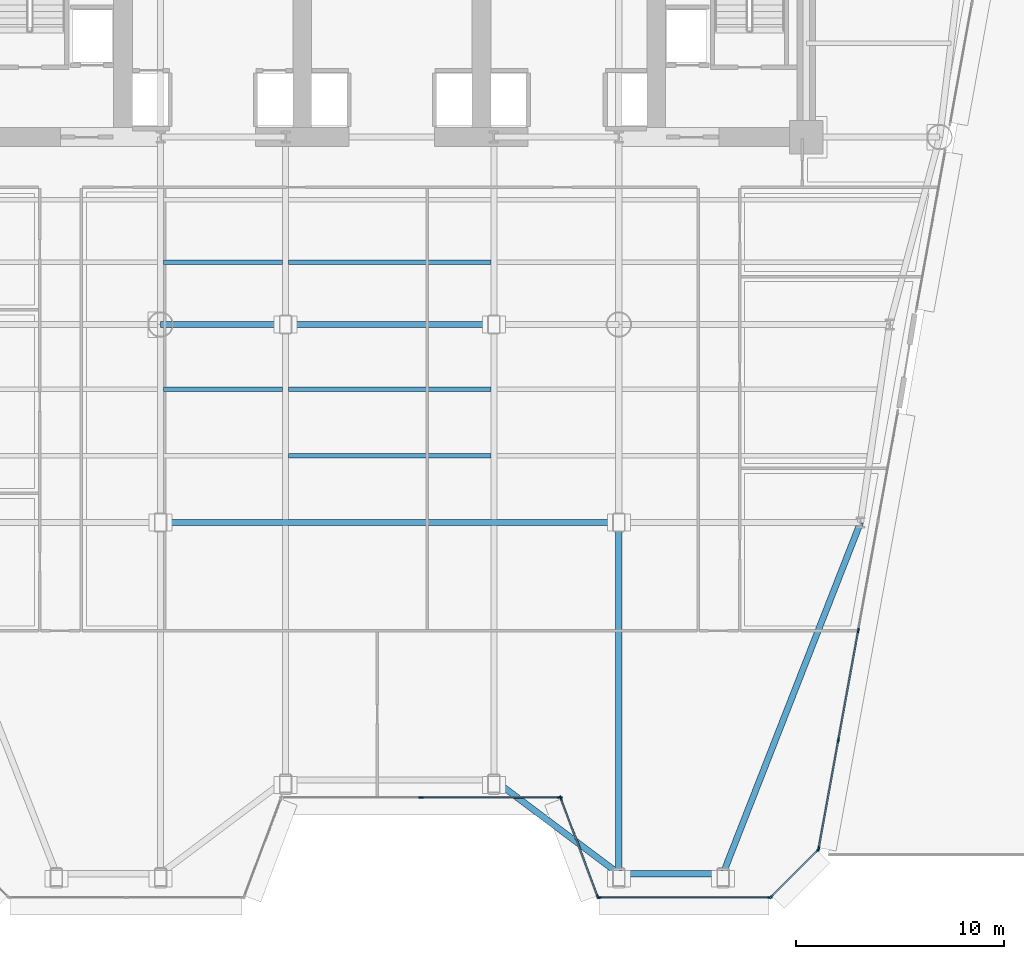
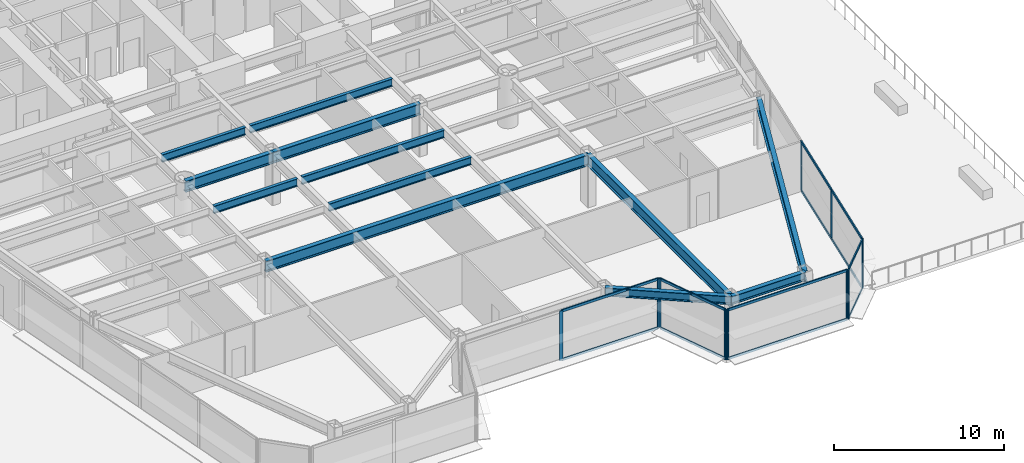
# One storey, part 3 of 14: 23 members, 12 beams, 5 elements without a shape of their own.
"""IFC4 building model written with IfcOpenShell, lengths in metres."""

from ifc_helpers import new_model, si_unit, direction, frame, origin, origin_2d, place, context, subcontext, project, spatial, rectangle, i_section, extrude, source, transform, mapped, material, layer, layer_set, material_profile, profile_set, type_object, element, aggregate, save


model = new_model("IFC4")

# Units and contexts
model_context = context("Model", 3, precision=1e-05, world=origin(), true_north=direction((0.0, 1.0)))
body_context = subcontext(model_context, "Body", "Model", "MODEL_VIEW")
ifc_project = project(units=[si_unit("LENGTHUNIT", "METRE"), si_unit("AREAUNIT", "SQUARE_METRE"), si_unit("VOLUMEUNIT", "CUBIC_METRE"), si_unit("PLANEANGLEUNIT", "RADIAN"), si_unit("MASSUNIT", "GRAM", prefix="KILO")], contexts=[model_context])

# Site, building, storey
site_placement = place(None, origin())
site = spatial("IfcSite", under=ifc_project, at=site_placement, CompositionType="ELEMENT")
building_placement = place(site_placement, origin())
building = spatial("IfcBuilding", under=site, at=building_placement, Name="Vaeldorn Concourse Tower", CompositionType="ELEMENT")
storey_placement = place(building_placement, frame((0.0, 0.0, 18.800048828125)))
storey = spatial("IfcBuildingStorey", under=building, at=storey_placement, Name="L04", CompositionType="ELEMENT", Elevation=18.800048828125)

# Beams
ifc_material_1 = material(Name="Steel S355", Category="steel")
ifc_material_profile_1 = material_profile(ifc_material_1, i_section(OverallWidth=0.300048828125, OverallDepth=0.800048828125, WebThickness=0.017578125, FlangeThickness=0.032958984375, FilletRadius=0.030029296875, at=origin_2d()), Name="HEB 800")
ifc_profile_set_1 = profile_set([ifc_material_profile_1], Name="Steel S355")
beam_type_1 = type_object("IfcBeamType", Name="BM-PG-HEB800", PredefinedType="BEAM", material=ifc_profile_set_1)
shared_shape_1 = source(origin(), body_context, "Body", "SweptSolid", [
    extrude(i_section(OverallWidth=0.300048828125, OverallDepth=0.800048828125, WebThickness=0.017578125, FlangeThickness=0.032958984375, FilletRadius=0.030029296875, at=origin_2d()), origin(), (0.0, 0.0, 1.0), 6.0),
])
beam_1_placement = place(storey_placement, frame((23.0, 27.5, 3.179931640625), z_axis=(1.0, 0.0, 0.0), x_axis=(0.0, 1.0, 0.0)))
element("IfcBeam", 1, at=beam_1_placement, inside=storey, type_object=beam_type_1, Name="Beam BM-L04-C-TW1-C-TW2", PredefinedType="BEAM", context=body_context, shape_type="MappedRepresentation", body=[
    mapped(shared_shape_1, transform((0.0, 0.0, 0.0), scale=1.0)),
])
shared_shape_2 = source(origin(), body_context, "Body", "SweptSolid", [
    extrude(i_section(OverallWidth=0.300048828125, OverallDepth=0.800048828125, WebThickness=0.017578125, FlangeThickness=0.032958984375, FilletRadius=0.030029296875, at=origin_2d()), origin(), (0.0, 0.0, 1.0), 10.0),
])
beam_2_placement = place(storey_placement, frame((29.0, 27.5, 3.179931640625), z_axis=(1.0, 0.0, 0.0), x_axis=(0.0, 1.0, 0.0)))
element("IfcBeam", 2, at=beam_2_placement, inside=storey, type_object=beam_type_1, Name="Beam BM-L04-C-TW2-C-TW3", PredefinedType="BEAM", context=body_context, shape_type="MappedRepresentation", body=[
    mapped(shared_shape_2, transform((0.0, 0.0, 0.0), scale=1.0)),
])
ifc_material_profile_2 = material_profile(ifc_material_1, i_section(OverallWidth=0.300048828125, OverallDepth=0.60009765625, WebThickness=0.015380859375, FlangeThickness=0.030029296875, FilletRadius=0.027099609375, at=origin_2d()), Name="HEB 600")
ifc_profile_set_2 = profile_set([ifc_material_profile_2], Name="Steel S355")
beam_type_2 = type_object("IfcBeamType", Name="BM-SP-HEB600", PredefinedType="SPANDREL", material=ifc_profile_set_2)
shared_shape_3 = source(origin(), body_context, "Body", "SweptSolid", [
    extrude(i_section(OverallWidth=0.300048828125, OverallDepth=0.60009765625, WebThickness=0.015380859375, FlangeThickness=0.030029296875, FilletRadius=0.027099609375, at=origin_2d()), origin(), (0.0, 0.0, 1.0), 5.0),
])
beam_3_placement = place(storey_placement, frame((45.0, 1.13916015625, 3.280029296875), z_axis=(1.0, 0.0, 0.0), x_axis=(0.0, 1.0, 0.0)))
element("IfcBeam", 3, at=beam_3_placement, inside=storey, type_object=beam_type_2, Name="Beam BM-L04-C-SF5-C-SF6", PredefinedType="SPANDREL", context=body_context, shape_type="MappedRepresentation", body=[
    mapped(shared_shape_3, transform((0.0, 0.0, 0.0), scale=1.0)),
])
shared_shape_4 = source(origin(), body_context, "Body", "SweptSolid", [
    extrude(i_section(OverallWidth=0.300048828125, OverallDepth=0.60009765625, WebThickness=0.015380859375, FlangeThickness=0.030029296875, FilletRadius=0.027099609375, at=origin_2d()), origin(), (0.0, 0.0, 1.0), 7.5),
])
beam_4_placement = place(storey_placement, frame((39.0, 5.63916015625, 3.280029296875), z_axis=(0.8, -0.6, 0.0), x_axis=(0.6, 0.8, 0.0)))
element("IfcBeam", 4, at=beam_4_placement, inside=storey, type_object=beam_type_2, Name="Beam BM-L04-C-SF4-C-SF5", PredefinedType="SPANDREL", context=body_context, shape_type="MappedRepresentation", body=[
    mapped(shared_shape_4, transform((0.0, 0.0, 0.0), scale=1.0)),
])
shared_shape_5 = source(origin(), body_context, "Body", "SweptSolid", [
    extrude(i_section(OverallWidth=0.300048828125, OverallDepth=0.800048828125, WebThickness=0.017578125, FlangeThickness=0.032958984375, FilletRadius=0.030029296875, at=origin_2d()), origin(), (0.0, 0.0, 1.0), 22.0),
])
beam_5_placement = place(storey_placement, frame((23.0, 18.0, 3.179931640625), z_axis=(1.0, 0.0, 0.0), x_axis=(0.0, 1.0, 0.0)))
element("IfcBeam", 5, at=beam_5_placement, inside=storey, type_object=beam_type_1, Name="Beam BM-L04-C-TW5-C-TW6", PredefinedType="BEAM", context=body_context, shape_type="MappedRepresentation", body=[
    mapped(shared_shape_5, transform((0.0, 0.0, 0.0), scale=1.0)),
])
shared_shape_6 = source(origin(), body_context, "Body", "SweptSolid", [
    extrude(i_section(OverallWidth=0.300048828125, OverallDepth=0.800048828125, WebThickness=0.017578125, FlangeThickness=0.032958984375, FilletRadius=0.030029296875, at=origin_2d()), origin(), (0.0, 0.0, 1.0), 18.106689453125),
])
beam_6_placement = place(storey_placement, frame((50.0, 1.13916015625, 3.179931640625), z_axis=(0.36451322626, 0.931198210845, 0.0), x_axis=(-0.931198210845, 0.36451322626, 0.0)))
element("IfcBeam", 6, at=beam_6_placement, inside=storey, type_object=beam_type_1, Name="Beam BM-L04-C-SF6-C-FLE2", PredefinedType="BEAM", context=body_context, shape_type="MappedRepresentation", body=[
    mapped(shared_shape_6, transform((0.0, 0.0, 0.0), scale=1.0)),
])
shared_shape_7 = source(origin(), body_context, "Body", "SweptSolid", [
    extrude(i_section(OverallWidth=0.300048828125, OverallDepth=0.800048828125, WebThickness=0.017578125, FlangeThickness=0.032958984375, FilletRadius=0.030029296875, at=origin_2d()), origin(), (0.0, 0.0, 1.0), 16.86083984375),
])
beam_7_placement = place(storey_placement, frame((45.0, 1.13916015625, 3.179931640625), z_axis=(0.0, 1.0, 0.0), x_axis=(-1.0, 0.0, 0.0)))
element("IfcBeam", 7, at=beam_7_placement, inside=storey, type_object=beam_type_1, Name="Beam BM-L04-C-SF5-C-TW6", PredefinedType="BEAM", context=body_context, shape_type="MappedRepresentation", body=[
    mapped(shared_shape_7, transform((0.0, 0.0, 0.0), scale=1.0)),
])
ifc_material_profile_3 = material_profile(ifc_material_1, i_section(OverallWidth=0.2099609375, OverallDepth=0.550048828125, WebThickness=0.010986328125, FlangeThickness=0.01708984375, FilletRadius=0.02392578125, at=origin_2d()), Name="IPE 550")
ifc_profile_set_3 = profile_set([ifc_material_profile_3], Name="Steel S355")
beam_type_3 = type_object("IfcBeamType", Name="BM-JS-IPE550", PredefinedType="JOIST", material=ifc_profile_set_3)
shared_shape_8 = source(origin(), body_context, "Body", "SweptSolid", [
    extrude(i_section(OverallWidth=0.2099609375, OverallDepth=0.550048828125, WebThickness=0.010986328125, FlangeThickness=0.01708984375, FilletRadius=0.02392578125, at=origin_2d()), origin(), (0.0, 0.0, 1.0), 5.7001953125),
])
for number, where, z_axis, x_axis, name in (
    (8, (23.14990234375, 24.39990234375, 3.304931640625), (1.0, 0.0, 0.0), (0.0, 1.0, 0.0), "Beam JS-L04-W2-244"),
    (9, (23.14990234375, 30.5, 3.304931640625), (1.0, 0.0, 0.0), (0.0, 1.0, 0.0), "Beam JS-L04-W2-305"),
):
    element("IfcBeam", number, at=place(storey_placement, frame(where, z_axis=z_axis, x_axis=x_axis)), inside=storey, type_object=beam_type_3, Name=name, PredefinedType="JOIST", context=body_context, shape_type="MappedRepresentation", body=[
        mapped(shared_shape_8, transform((0.0, 0.0, 0.0), scale=1.0)),
    ])
shared_shape_9 = source(origin(), body_context, "Body", "SweptSolid", [
    extrude(i_section(OverallWidth=0.2099609375, OverallDepth=0.550048828125, WebThickness=0.010986328125, FlangeThickness=0.01708984375, FilletRadius=0.02392578125, at=origin_2d()), origin(), (0.0, 0.0, 1.0), 9.7001953125),
])
for number, where, z_axis, x_axis, name in (
    (10, (29.14990234375, 21.199951171875, 3.304931640625), (1.0, 0.0, 0.0), (0.0, 1.0, 0.0), "Beam JS-L04-C-212"),
    (11, (29.14990234375, 24.39990234375, 3.304931640625), (1.0, 0.0, 0.0), (0.0, 1.0, 0.0), "Beam JS-L04-C-244"),
    (12, (29.14990234375, 30.5, 3.304931640625), (1.0, 0.0, 0.0), (0.0, 1.0, 0.0), "Beam JS-L04-C-305"),
):
    element("IfcBeam", number, at=place(storey_placement, frame(where, z_axis=z_axis, x_axis=x_axis)), inside=storey, type_object=beam_type_3, Name=name, PredefinedType="JOIST", context=body_context, shape_type="MappedRepresentation", body=[
        mapped(shared_shape_9, transform((0.0, 0.0, 0.0), scale=1.0)),
    ])

# Curtain wall, members
ifc_material_2 = material(Name="Anodised Bronze Aluminium", Category="aluminium")
ifc_layer = layer(ifc_material_2, 0.2099609375)
ifc_layer_set = layer_set([ifc_layer], Name="Anodised Bronze Aluminium")
curtain_wall_type = type_object("IfcCurtainWallType", Name="CW-SYS-06", PredefinedType="NOTDEFINED", material=ifc_layer_set)
curtain_wall_1_placement = place(storey_placement, origin())
curtain_wall_1 = element("IfcCurtainWall", 13, at=curtain_wall_1_placement, inside=storey, type_object=curtain_wall_type, Name="Unitised Curtain Wall CW-L04-E03-1", PredefinedType="NOTDEFINED")
ifc_material_profile_4 = material_profile(ifc_material_2, rectangle(XDim=0.074951171875, YDim=0.219970703125, at=origin_2d()), Name="CWM 75x220")
ifc_profile_set_4 = profile_set([ifc_material_profile_4], Name="Anodised Bronze Aluminium")
member_type_1 = type_object("IfcMemberType", Name="CWM-BRONZE-220", PredefinedType="MULLION", material=ifc_profile_set_4)
shared_shape_10 = source(origin(), body_context, "Body", "SweptSolid", [
    extrude(rectangle(XDim=0.074951171875, YDim=0.219970703125, at=origin_2d()), origin(), (0.0, 0.0, 1.0), 3.579833984375),
])
member_1_placement = place(storey_placement, frame((35.5, 4.800048828125, 0.0), z_axis=(0.0, 0.0, 1.0), x_axis=(0.0, 1.0, 0.0)))
member_1 = element("IfcMember", 14, at=member_1_placement, type_object=member_type_1, Name="CW-06 mullion 2", PredefinedType="MULLION", context=body_context, shape_type="MappedRepresentation", body=[
    mapped(shared_shape_10, transform((0.0, 0.0, 0.0), scale=1.0)),
])
member_2_placement = place(storey_placement, frame((42.16259765625, 4.800048828125, 0.0), z_axis=(0.0, 0.0, 1.0), x_axis=(0.0, 1.0, 0.0)))
member_2 = element("IfcMember", 15, at=member_2_placement, type_object=member_type_1, Name="CW-06 mullion 3", PredefinedType="MULLION", context=body_context, shape_type="MappedRepresentation", body=[
    mapped(shared_shape_10, transform((0.0, 0.0, 0.0), scale=1.0)),
])

curtain_wall_2_placement = place(storey_placement, origin())
curtain_wall_2 = element("IfcCurtainWall", 16, at=curtain_wall_2_placement, inside=storey, type_object=curtain_wall_type, Name="Unitised Curtain Wall CW-L04-E04-1", PredefinedType="NOTDEFINED")
member_3_placement = place(storey_placement, frame((42.213134765625, 4.764892578125, 0.0), z_axis=(0.0, 0.0, 1.0), x_axis=(0.936329177566, 0.351123441595, 0.0)))
member_3 = element("IfcMember", 17, at=member_3_placement, type_object=member_type_1, Name="CW-06 mullion 1", PredefinedType="MULLION", context=body_context, shape_type="MappedRepresentation", body=[
    mapped(shared_shape_10, transform((0.0, 0.0, 0.0), scale=1.0)),
])
member_4_placement = place(storey_placement, frame((43.98681640625, 0.03515625, 0.0), z_axis=(0.0, 0.0, 1.0), x_axis=(0.936329177566, 0.351123441595, 0.0)))
member_4 = element("IfcMember", 18, at=member_4_placement, type_object=member_type_1, Name="CW-06 mullion 2", PredefinedType="MULLION", context=body_context, shape_type="MappedRepresentation", body=[
    mapped(shared_shape_10, transform((0.0, 0.0, 0.0), scale=1.0)),
])

curtain_wall_3_placement = place(storey_placement, origin())
curtain_wall_3 = element("IfcCurtainWall", 19, at=curtain_wall_3_placement, inside=storey, type_object=curtain_wall_type, Name="Unitised Curtain Wall CW-L04-E05-1", PredefinedType="NOTDEFINED")
member_5_placement = place(storey_placement, frame((44.03759765625, 0.0, 0.0), z_axis=(0.0, 0.0, 1.0), x_axis=(0.0, 1.0, 0.0)))
member_5 = element("IfcMember", 20, at=member_5_placement, type_object=member_type_1, Name="CW-06 mullion 1", PredefinedType="MULLION", context=body_context, shape_type="MappedRepresentation", body=[
    mapped(shared_shape_10, transform((0.0, 0.0, 0.0), scale=1.0)),
])
member_6_placement = place(storey_placement, frame((52.24755859375, 0.0, 0.0), z_axis=(0.0, 0.0, 1.0), x_axis=(0.0, 1.0, 0.0)))
member_6 = element("IfcMember", 21, at=member_6_placement, type_object=member_type_1, Name="CW-06 mullion 2", PredefinedType="MULLION", context=body_context, shape_type="MappedRepresentation", body=[
    mapped(shared_shape_10, transform((0.0, 0.0, 0.0), scale=1.0)),
])

curtain_wall_4_placement = place(storey_placement, origin())
curtain_wall_4 = element("IfcCurtainWall", 22, at=curtain_wall_4_placement, inside=storey, type_object=curtain_wall_type, Name="Unitised Curtain Wall CW-L04-E06-1", PredefinedType="NOTDEFINED")
member_7_placement = place(storey_placement, frame((52.3115234375, 0.026611328125, 0.0), z_axis=(0.0, 0.0, 1.0), x_axis=(-0.707106781187, 0.707106781187, 0.0)))
member_7 = element("IfcMember", 23, at=member_7_placement, type_object=member_type_1, Name="CW-06 mullion 1", PredefinedType="MULLION", context=body_context, shape_type="MappedRepresentation", body=[
    mapped(shared_shape_10, transform((0.0, 0.0, 0.0), scale=1.0)),
])
member_8_placement = place(storey_placement, frame((54.55859375, 2.2734375, 0.0), z_axis=(0.0, 0.0, 1.0), x_axis=(-0.707106781187, 0.707106781187, 0.0)))
member_8 = element("IfcMember", 24, at=member_8_placement, type_object=member_type_1, Name="CW-06 mullion 2", PredefinedType="MULLION", context=body_context, shape_type="MappedRepresentation", body=[
    mapped(shared_shape_10, transform((0.0, 0.0, 0.0), scale=1.0)),
])

curtain_wall_5_placement = place(storey_placement, origin())
curtain_wall_5 = element("IfcCurtainWall", 25, at=curtain_wall_5_placement, inside=storey, type_object=curtain_wall_type, Name="Unitised Curtain Wall CW-L04-E07-1", PredefinedType="NOTDEFINED")
member_9_placement = place(storey_placement, frame((54.591796875, 2.3369140625, 0.0), z_axis=(0.0, 0.0, 1.0), x_axis=(-0.983949757326, 0.1784457202, 0.0)))
member_9 = element("IfcMember", 26, at=member_9_placement, type_object=member_type_1, Name="CW-06 mullion 1", PredefinedType="MULLION", context=body_context, shape_type="MappedRepresentation", body=[
    mapped(shared_shape_10, transform((0.0, 0.0, 0.0), scale=1.0)),
])
member_10_placement = place(storey_placement, frame((55.53857421875, 7.557861328125, 0.0), z_axis=(0.0, 0.0, 1.0), x_axis=(-0.983949757326, 0.1784457202, 0.0)))
member_10 = element("IfcMember", 27, at=member_10_placement, type_object=member_type_1, Name="CW-06 mullion 2", PredefinedType="MULLION", context=body_context, shape_type="MappedRepresentation", body=[
    mapped(shared_shape_10, transform((0.0, 0.0, 0.0), scale=1.0)),
])
member_11_placement = place(storey_placement, frame((56.4921875, 12.815673828125, 0.0), z_axis=(0.0, 0.0, 1.0), x_axis=(-0.983949757326, 0.1784457202, 0.0)))
member_11 = element("IfcMember", 28, at=member_11_placement, type_object=member_type_1, Name="CW-06 mullion 3", PredefinedType="MULLION", context=body_context, shape_type="MappedRepresentation", body=[
    mapped(shared_shape_10, transform((0.0, 0.0, 0.0), scale=1.0)),
])

# Member
ifc_material_profile_5 = material_profile(ifc_material_2, rectangle(XDim=0.074951171875, YDim=0.179931640625, at=origin_2d()), Name="CWT 75x180")
ifc_profile_set_5 = profile_set([ifc_material_profile_5], Name="Anodised Bronze Aluminium")
member_type_2 = type_object("IfcMemberType", Name="CWT-BRONZE-180", PredefinedType="USERDEFINED", material=ifc_profile_set_5)
shared_shape_11 = source(origin(), body_context, "Body", "SweptSolid", [
    extrude(rectangle(XDim=0.074951171875, YDim=0.179931640625, at=origin_2d()), origin(), (0.0, 0.0, 1.0), 4.976318359375),
])
member_12_placement = place(storey_placement, frame((42.226318359375, 4.729736328125, 0.037353515625), z_axis=(0.351128818119, -0.936327161352, 0.0), x_axis=(0.936327161352, 0.351128818119, 0.0)))
member_12 = element("IfcMember", 29, at=member_12_placement, type_object=member_type_2, Name="CW-06 transom 1.1", ObjectType="TRANSOM", PredefinedType="USERDEFINED", context=body_context, shape_type="MappedRepresentation", body=[
    mapped(shared_shape_11, transform((0.0, 0.0, 0.0), scale=1.0)),
])

member_13_placement = place(storey_placement, frame((42.226318359375, 4.729736328125, 3.54248046875), z_axis=(0.351128818119, -0.936327161352, 0.0), x_axis=(0.936327161352, 0.351128818119, 0.0)))
member_13 = element("IfcMember", 30, at=member_13_placement, type_object=member_type_2, Name="CW-06 transom 1.2", ObjectType="TRANSOM", PredefinedType="USERDEFINED", context=body_context, shape_type="MappedRepresentation", body=[
    mapped(shared_shape_11, transform((0.0, 0.0, 0.0), scale=1.0)),
])

aggregate(curtain_wall_2, [member_3, member_4, member_12, member_13])

shared_shape_12 = source(origin(), body_context, "Body", "SweptSolid", [
    extrude(rectangle(XDim=0.074951171875, YDim=0.179931640625, at=origin_2d()), origin(), (0.0, 0.0, 1.0), 6.58740234375),
])
member_14_placement = place(storey_placement, frame((35.53759765625, 4.800048828125, 0.037353515625), z_axis=(1.0, 0.0, 0.0), x_axis=(0.0, 1.0, 0.0)))
member_14 = element("IfcMember", 31, at=member_14_placement, type_object=member_type_2, Name="CW-06 transom 2.1", ObjectType="TRANSOM", PredefinedType="USERDEFINED", context=body_context, shape_type="MappedRepresentation", body=[
    mapped(shared_shape_12, transform((0.0, 0.0, 0.0), scale=1.0)),
])

member_15_placement = place(storey_placement, frame((35.53759765625, 4.800048828125, 3.54248046875), z_axis=(1.0, 0.0, 0.0), x_axis=(0.0, 1.0, 0.0)))
member_15 = element("IfcMember", 32, at=member_15_placement, type_object=member_type_2, Name="CW-06 transom 2.2", ObjectType="TRANSOM", PredefinedType="USERDEFINED", context=body_context, shape_type="MappedRepresentation", body=[
    mapped(shared_shape_12, transform((0.0, 0.0, 0.0), scale=1.0)),
])

aggregate(curtain_wall_1, [member_1, member_2, member_14, member_15])

shared_shape_13 = source(origin(), body_context, "Body", "SweptSolid", [
    extrude(rectangle(XDim=0.074951171875, YDim=0.179931640625, at=origin_2d()), origin(), (0.0, 0.0, 1.0), 8.135009765625),
])
member_16_placement = place(storey_placement, frame((44.074951171875, 0.0, 0.037353515625), z_axis=(1.0, 0.0, 0.0), x_axis=(0.0, 1.0, 0.0)))
member_16 = element("IfcMember", 33, at=member_16_placement, type_object=member_type_2, Name="CW-06 transom 1.1", ObjectType="TRANSOM", PredefinedType="USERDEFINED", context=body_context, shape_type="MappedRepresentation", body=[
    mapped(shared_shape_13, transform((0.0, 0.0, 0.0), scale=1.0)),
])

member_17_placement = place(storey_placement, frame((44.074951171875, 0.0, 3.54248046875), z_axis=(1.0, 0.0, 0.0), x_axis=(0.0, 1.0, 0.0)))
member_17 = element("IfcMember", 34, at=member_17_placement, type_object=member_type_2, Name="CW-06 transom 1.2", ObjectType="TRANSOM", PredefinedType="USERDEFINED", context=body_context, shape_type="MappedRepresentation", body=[
    mapped(shared_shape_13, transform((0.0, 0.0, 0.0), scale=1.0)),
])

aggregate(curtain_wall_3, [member_5, member_6, member_16, member_17])

shared_shape_14 = source(origin(), body_context, "Body", "SweptSolid", [
    extrude(rectangle(XDim=0.074951171875, YDim=0.179931640625, at=origin_2d()), origin(), (0.0, 0.0, 1.0), 3.102783203125),
])
member_18_placement = place(storey_placement, frame((52.338134765625, 0.052978515625, 0.037353515625), z_axis=(0.707067437368, 0.707146122816, 0.0), x_axis=(-0.707146122816, 0.707067437368, 0.0)))
member_18 = element("IfcMember", 35, at=member_18_placement, type_object=member_type_2, Name="CW-06 transom 1.1", ObjectType="TRANSOM", PredefinedType="USERDEFINED", context=body_context, shape_type="MappedRepresentation", body=[
    mapped(shared_shape_14, transform((0.0, 0.0, 0.0), scale=1.0)),
])

member_19_placement = place(storey_placement, frame((52.338134765625, 0.052978515625, 3.54248046875), z_axis=(0.707067437368, 0.707146122816, 0.0), x_axis=(-0.707146122816, 0.707067437368, 0.0)))
member_19 = element("IfcMember", 36, at=member_19_placement, type_object=member_type_2, Name="CW-06 transom 1.2", ObjectType="TRANSOM", PredefinedType="USERDEFINED", context=body_context, shape_type="MappedRepresentation", body=[
    mapped(shared_shape_14, transform((0.0, 0.0, 0.0), scale=1.0)),
])

aggregate(curtain_wall_4, [member_7, member_8, member_18, member_19])

shared_shape_15 = source(origin(), body_context, "Body", "SweptSolid", [
    extrude(rectangle(XDim=0.074951171875, YDim=0.179931640625, at=origin_2d()), origin(), (0.0, 0.0, 1.0), 5.231201171875),
])
member_20_placement = place(storey_placement, frame((54.598388671875, 2.373779296875, 0.037353515625), z_axis=(0.178421326833, 0.98395418091, 0.0), x_axis=(-0.98395418091, 0.178421326833, 0.0)))
member_20 = element("IfcMember", 37, at=member_20_placement, type_object=member_type_2, Name="CW-06 transom 1.1", ObjectType="TRANSOM", PredefinedType="USERDEFINED", context=body_context, shape_type="MappedRepresentation", body=[
    mapped(shared_shape_15, transform((0.0, 0.0, 0.0), scale=1.0)),
])

member_21_placement = place(storey_placement, frame((54.598388671875, 2.373779296875, 3.54248046875), z_axis=(0.178421326833, 0.98395418091, 0.0), x_axis=(-0.98395418091, 0.178421326833, 0.0)))
member_21 = element("IfcMember", 38, at=member_21_placement, type_object=member_type_2, Name="CW-06 transom 1.2", ObjectType="TRANSOM", PredefinedType="USERDEFINED", context=body_context, shape_type="MappedRepresentation", body=[
    mapped(shared_shape_15, transform((0.0, 0.0, 0.0), scale=1.0)),
])

shared_shape_16 = source(origin(), body_context, "Body", "SweptSolid", [
    extrude(rectangle(XDim=0.074951171875, YDim=0.179931640625, at=origin_2d()), origin(), (0.0, 0.0, 1.0), 5.2685546875),
])
member_22_placement = place(storey_placement, frame((55.545166015625, 7.5947265625, 0.037353515625), z_axis=(0.17844909843, 0.983949144656, 0.0), x_axis=(-0.983949144656, 0.17844909843, 0.0)))
member_22 = element("IfcMember", 39, at=member_22_placement, type_object=member_type_2, Name="CW-06 transom 2.1", ObjectType="TRANSOM", PredefinedType="USERDEFINED", context=body_context, shape_type="MappedRepresentation", body=[
    mapped(shared_shape_16, transform((0.0, 0.0, 0.0), scale=1.0)),
])

member_23_placement = place(storey_placement, frame((55.545166015625, 7.5947265625, 3.54248046875), z_axis=(0.17844909843, 0.983949144656, 0.0), x_axis=(-0.983949144656, 0.17844909843, 0.0)))
member_23 = element("IfcMember", 40, at=member_23_placement, type_object=member_type_2, Name="CW-06 transom 2.2", ObjectType="TRANSOM", PredefinedType="USERDEFINED", context=body_context, shape_type="MappedRepresentation", body=[
    mapped(shared_shape_16, transform((0.0, 0.0, 0.0), scale=1.0)),
])

aggregate(curtain_wall_5, [member_9, member_10, member_11, member_20, member_21, member_22, member_23])

save(model, "model.ifc")
